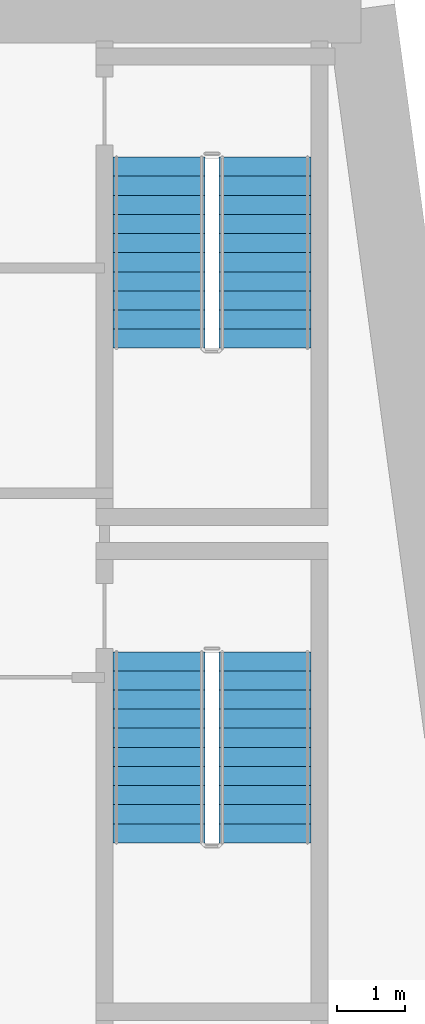
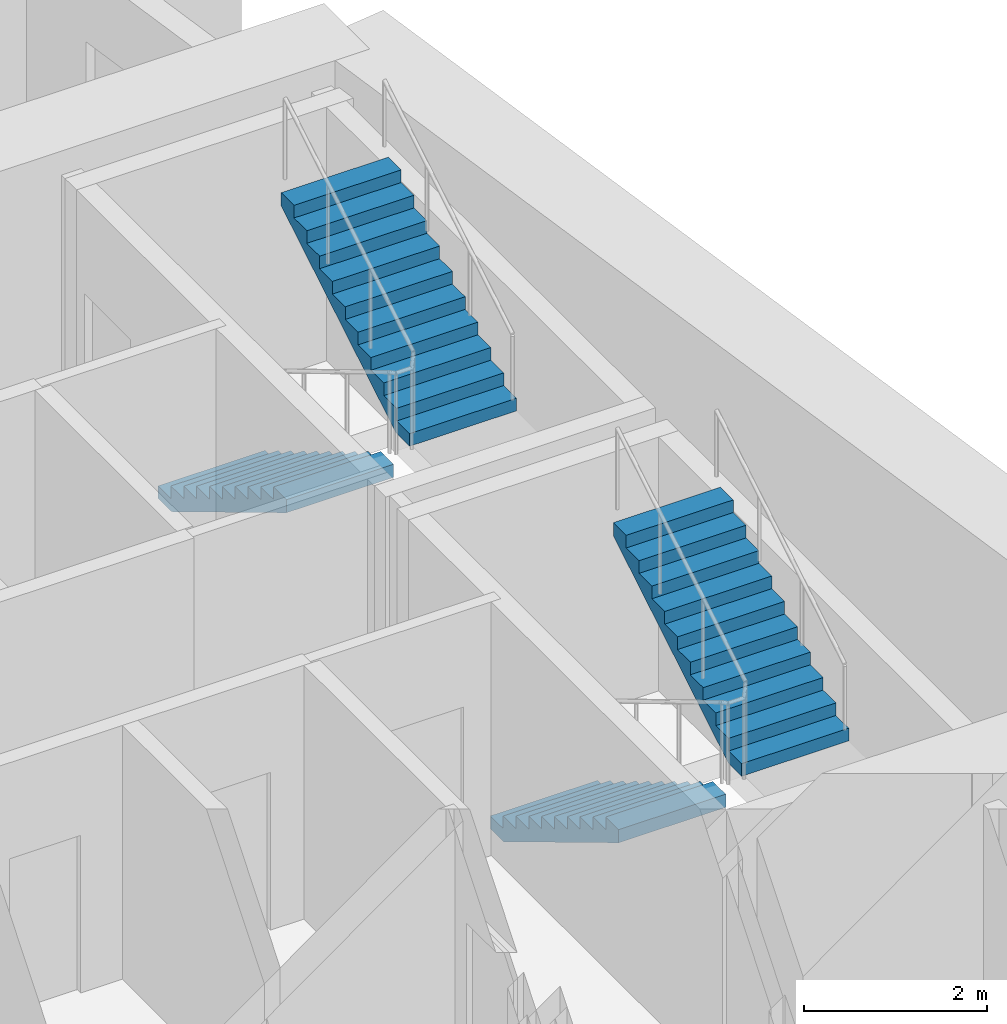
# One storey, part 8 of 13: 4 stair flights, 2 elements without a shape of their own.
"""IFC4 building model written with IfcOpenShell, lengths in metres."""

from ifc_helpers import new_model, si_unit, direction, frame, origin, place, context, subcontext, project, spatial, polyline, outline, extrude, material, type_object, element, aggregate, save


model = new_model("IFC4")

# Units and contexts
model_context = context("Model", 3, precision=1e-05, world=origin(), true_north=direction((0.0, 1.0)))
body_context = subcontext(model_context, "Body", "Model", "MODEL_VIEW")
ifc_project = project(units=[si_unit("LENGTHUNIT", "METRE"), si_unit("AREAUNIT", "SQUARE_METRE"), si_unit("VOLUMEUNIT", "CUBIC_METRE"), si_unit("PLANEANGLEUNIT", "RADIAN"), si_unit("MASSUNIT", "GRAM", prefix="KILO")], contexts=[model_context])

# Site, building, storey
site_placement = place(None, origin())
site = spatial("IfcSite", under=ifc_project, at=site_placement, CompositionType="ELEMENT")
building_placement = place(site_placement, origin())
building = spatial("IfcBuilding", under=site, at=building_placement, Name="Candeia Pilgrim Tower and Theatre", CompositionType="ELEMENT")
storey_placement = place(building_placement, frame((0.0, 0.0, 98.39990234375)))
storey = spatial("IfcBuildingStorey", under=building, at=storey_placement, Name="L22", CompositionType="ELEMENT", Elevation=98.39990234375)

# Stair, stair flights
ifc_material = material(Name="Concrete C40/50", Category="concrete")
stair_type = type_object("IfcStairType", Name="ST-TWR dog-leg escape stair", PredefinedType="HALF_TURN_STAIR", material=ifc_material)
stair_1_placement = place(storey_placement, origin())
stair_1 = element("IfcStair", 1, at=stair_1_placement, inside=storey, type_object=stair_type, Name="L22 Escape stair ST3", PredefinedType="HALF_TURN_STAIR")
stair_flight_type = type_object("IfcStairFlightType", Name="SFL-RC stair flight", PredefinedType="STRAIGHT", material=ifc_material)
stair_flight_1_placement = place(storey_placement, frame((134.77294921875, 122.47509765625, 0.0), z_axis=(0.0, 0.0, 1.0), x_axis=(0.0, -1.0, 0.0)))
stair_flight_1 = element("IfcStairFlight", 2, at=stair_flight_1_placement, type_object=stair_flight_type, Name="ST3 flight 1", NumberOfRisers=11, NumberOfTreads=10, PredefinedType="STRAIGHT", RiserHeight=0.168181818, TreadLength=0.28, context=body_context, shape_type="SweptSolid", body=[
    extrude(outline(polyline([(0.0, 0.0), (0.0, 0.168212890625), (0.280029296875, 0.168212890625), (0.280029296875, 0.33642578125), (0.56005859375, 0.33642578125), (0.56005859375, 0.504638671875), (0.840087890625, 0.504638671875), (0.840087890625, 0.672607421875), (1.1201171875, 0.672607421875), (1.1201171875, 0.8408203125), (1.39990234375, 0.8408203125), (1.39990234375, 1.009033203125), (1.679931640625, 1.009033203125), (1.679931640625, 1.17724609375), (1.9599609375, 1.17724609375), (1.9599609375, 1.345458984375), (2.239990234375, 1.345458984375), (2.239990234375, 1.513671875), (2.52001953125, 1.513671875), (2.52001953125, 1.681884765625), (2.800048828125, 1.681884765625), (2.800048828125, 1.85009765625), (2.800048828125, 1.5068359375), (0.291015625, 0.0), (0.0, 0.0)])), frame((0.0, 0.675048828125, 0.0), z_axis=(0.0, -1.0, 0.0), x_axis=(1.0, 0.0, 0.0)), (0.0, 0.0, 1.0), 1.35009765625),
])
stair_flight_2_placement = place(storey_placement, frame((136.322998046875, 119.675048828125, 1.85009765625), z_axis=(0.0, 0.0, 1.0), x_axis=(0.0, 1.0, 0.0)))
stair_flight_2 = element("IfcStairFlight", 3, at=stair_flight_2_placement, type_object=stair_flight_type, Name="ST3 flight 2", NumberOfRisers=11, NumberOfTreads=10, PredefinedType="STRAIGHT", RiserHeight=0.168181818, TreadLength=0.28, context=body_context, shape_type="SweptSolid", body=[
    extrude(outline(polyline([(0.0, 0.0), (0.0, 0.168212890625), (0.280029296875, 0.168212890625), (0.280029296875, 0.33642578125), (0.56005859375, 0.33642578125), (0.56005859375, 0.504638671875), (0.840087890625, 0.504638671875), (0.840087890625, 0.672607421875), (1.1201171875, 0.672607421875), (1.1201171875, 0.8408203125), (1.39990234375, 0.8408203125), (1.39990234375, 1.009033203125), (1.679931640625, 1.009033203125), (1.679931640625, 1.17724609375), (1.9599609375, 1.17724609375), (1.9599609375, 1.345458984375), (2.239990234375, 1.345458984375), (2.239990234375, 1.513671875), (2.52001953125, 1.513671875), (2.52001953125, 1.681884765625), (2.800048828125, 1.681884765625), (2.800048828125, 1.85009765625), (2.800048828125, 1.5068359375), (0.291015625, 0.0), (0.0, 0.0)])), frame((0.0, 0.675048828125, 0.0), z_axis=(0.0, -1.0, 0.0), x_axis=(1.0, 0.0, 0.0)), (0.0, 0.0, 1.0), 1.35009765625),
])
aggregate(stair_1, [stair_flight_1, stair_flight_2])

stair_2_placement = place(storey_placement, origin())
stair_2 = element("IfcStair", 4, at=stair_2_placement, inside=storey, type_object=stair_type, Name="L22 Escape stair ST4", PredefinedType="HALF_TURN_STAIR")
stair_flight_3_placement = place(storey_placement, frame((134.77294921875, 129.72509765625, 0.0), z_axis=(0.0, 0.0, 1.0), x_axis=(0.0, -1.0, 0.0)))
stair_flight_3 = element("IfcStairFlight", 5, at=stair_flight_3_placement, type_object=stair_flight_type, Name="ST4 flight 1", NumberOfRisers=11, NumberOfTreads=10, PredefinedType="STRAIGHT", RiserHeight=0.168181818, TreadLength=0.28, context=body_context, shape_type="SweptSolid", body=[
    extrude(outline(polyline([(0.0, 0.0), (0.0, 0.168212890625), (0.280029296875, 0.168212890625), (0.280029296875, 0.33642578125), (0.56005859375, 0.33642578125), (0.56005859375, 0.504638671875), (0.840087890625, 0.504638671875), (0.840087890625, 0.672607421875), (1.1201171875, 0.672607421875), (1.1201171875, 0.8408203125), (1.39990234375, 0.8408203125), (1.39990234375, 1.009033203125), (1.679931640625, 1.009033203125), (1.679931640625, 1.17724609375), (1.9599609375, 1.17724609375), (1.9599609375, 1.345458984375), (2.239990234375, 1.345458984375), (2.239990234375, 1.513671875), (2.52001953125, 1.513671875), (2.52001953125, 1.681884765625), (2.800048828125, 1.681884765625), (2.800048828125, 1.85009765625), (2.800048828125, 1.5068359375), (0.291015625, 0.0), (0.0, 0.0)])), frame((0.0, 0.675048828125, 0.0), z_axis=(0.0, -1.0, 0.0), x_axis=(1.0, 0.0, 0.0)), (0.0, 0.0, 1.0), 1.35009765625),
])
stair_flight_4_placement = place(storey_placement, frame((136.322998046875, 126.925048828125, 1.85009765625), z_axis=(0.0, 0.0, 1.0), x_axis=(0.0, 1.0, 0.0)))
stair_flight_4 = element("IfcStairFlight", 6, at=stair_flight_4_placement, type_object=stair_flight_type, Name="ST4 flight 2", NumberOfRisers=11, NumberOfTreads=10, PredefinedType="STRAIGHT", RiserHeight=0.168181818, TreadLength=0.28, context=body_context, shape_type="SweptSolid", body=[
    extrude(outline(polyline([(0.0, 0.0), (0.0, 0.168212890625), (0.280029296875, 0.168212890625), (0.280029296875, 0.33642578125), (0.56005859375, 0.33642578125), (0.56005859375, 0.504638671875), (0.840087890625, 0.504638671875), (0.840087890625, 0.672607421875), (1.1201171875, 0.672607421875), (1.1201171875, 0.8408203125), (1.39990234375, 0.8408203125), (1.39990234375, 1.009033203125), (1.679931640625, 1.009033203125), (1.679931640625, 1.17724609375), (1.9599609375, 1.17724609375), (1.9599609375, 1.345458984375), (2.239990234375, 1.345458984375), (2.239990234375, 1.513671875), (2.52001953125, 1.513671875), (2.52001953125, 1.681884765625), (2.800048828125, 1.681884765625), (2.800048828125, 1.85009765625), (2.800048828125, 1.5068359375), (0.291015625, 0.0), (0.0, 0.0)])), frame((0.0, 0.675048828125, 0.0), z_axis=(0.0, -1.0, 0.0), x_axis=(1.0, 0.0, 0.0)), (0.0, 0.0, 1.0), 1.35009765625),
])
aggregate(stair_2, [stair_flight_3, stair_flight_4])

save(model, "model.ifc")
